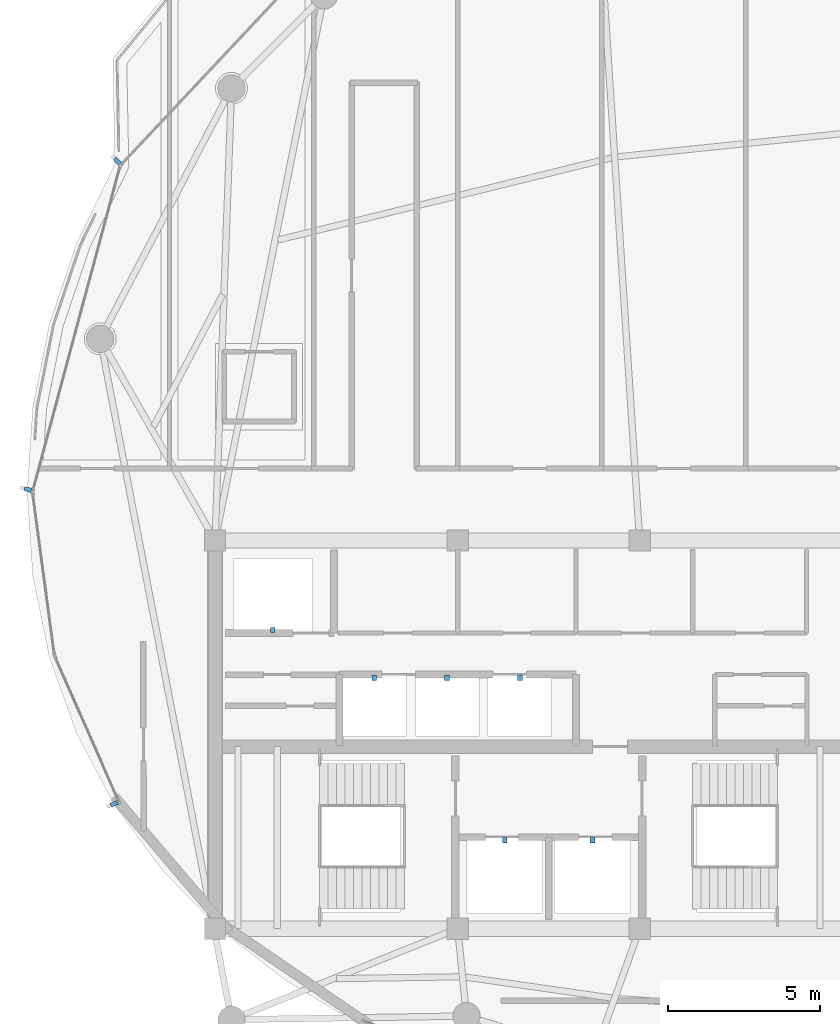
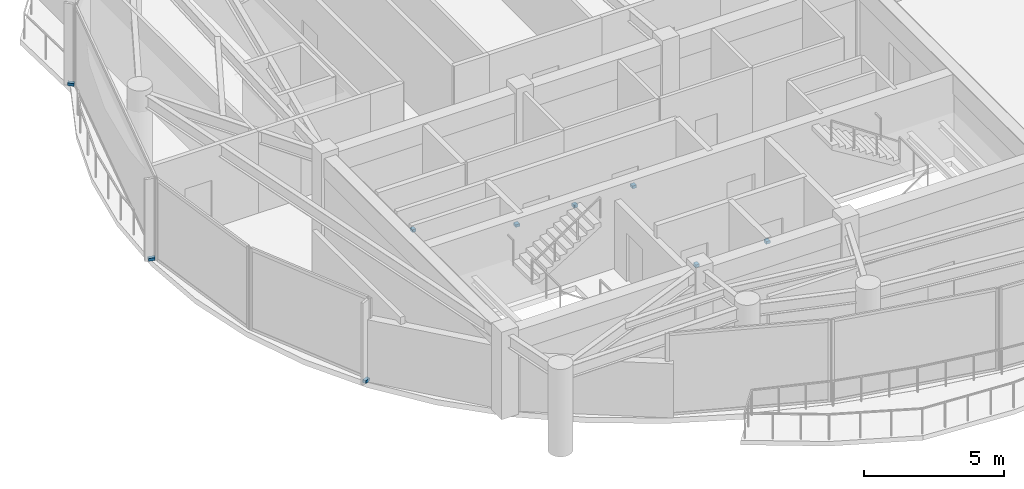
# One storey, part 21 of 23: 9 discrete accessories.
"""IFC4 building model written with IfcOpenShell, lengths in metres."""

from ifc_helpers import new_model, si_unit, direction, frame, origin, origin_2d, place, context, subcontext, project, spatial, rectangle, extrude, material, type_object, element, save


model = new_model("IFC4")

# Units and contexts
model_context = context("Model", 3, precision=1e-05, world=origin(), true_north=direction((0.0, 1.0)))
body_context = subcontext(model_context, "Body", "Model", "MODEL_VIEW")
ifc_project = project(units=[si_unit("LENGTHUNIT", "METRE"), si_unit("AREAUNIT", "SQUARE_METRE"), si_unit("VOLUMEUNIT", "CUBIC_METRE"), si_unit("PLANEANGLEUNIT", "RADIAN"), si_unit("MASSUNIT", "GRAM", prefix="KILO")], contexts=[model_context])

# Site, building, storey
site_placement = place(None, origin())
site = spatial("IfcSite", under=ifc_project, at=site_placement, CompositionType="ELEMENT")
building_placement = place(site_placement, origin())
building = spatial("IfcBuilding", under=site, at=building_placement, Name="Kazevale Care Tower and Concert Hall", CompositionType="ELEMENT")
storey_placement = place(building_placement, frame((0.0, 0.0, 266.199951171875)))
storey = spatial("IfcBuildingStorey", under=building, at=storey_placement, Name="L70", CompositionType="ELEMENT", Elevation=266.199951171875)

# Discrete accessories
ifc_material = material(Name="Stainless Steel 316", Category="steel")
discrete_accessory_type_1 = type_object("IfcDiscreteAccessoryType", Name="Facade Fin Stainless Anchor Bracket BRK-1", PredefinedType="BRACKET", material=ifc_material)
for number, where, z_axis, x_axis, name in (
    (1, (18.67333984375, 27.718994140625, 0.0), (0.0, 0.0, 1.0), (-0.91495966785, -0.403545296352, 0.0), "cw:L70:f07:brk"),
    (2, (15.826171875, 38.082763671875, 0.0), (0.0, 0.0, 1.0), (-0.965744901133, 0.259493325415, 0.0), "cw:L70:f09:brk"),
    (3, (18.776611328125, 48.909423828125, 0.0), (0.0, 0.0, 1.0), (-0.728968627421, 0.684547105929, 0.0), "cw:L70:f10:brk"),
):
    element("IfcDiscreteAccessory", number, at=place(storey_placement, frame(where, z_axis=z_axis, x_axis=x_axis)), inside=storey, type_object=discrete_accessory_type_1, Name=name, PredefinedType="BRACKET", context=body_context, shape_type="SweptSolid", body=[
        extrude(rectangle(XDim=0.239990234375, YDim=0.139892578125, at=origin_2d()), origin(), (0.0, 0.0, 1.0), 0.1201171875),
    ])
discrete_accessory_type_2 = type_object("IfcDiscreteAccessoryType", Name="Hoistway Guide-Rail Wall Bracket HBRK-1", PredefinedType="BRACKET", material=ifc_material)
for number, where, z_axis, x_axis, name in (
    (4, (31.550048828125, 26.52001953125, 1.239990234375), (0.0, 0.0, 1.0), (1.0, 0.0, 0.0), "hbrk:FFL-1:L70"),
    (5, (34.449951171875, 26.52001953125, 1.239990234375), (0.0, 0.0, 1.0), (1.0, 0.0, 0.0), "hbrk:FFL-2:L70"),
    (6, (23.89990234375, 33.449951171875, 1.239990234375), (0.0, 0.0, 1.0), (1.0, 0.0, 0.0), "hbrk:SVL-1:L70"),
    (7, (27.25, 31.8798828125, 1.239990234375), (0.0, 0.0, 1.0), (1.0, 0.0, 0.0), "hbrk:PH-1:L70"),
    (8, (29.64990234375, 31.8798828125, 1.239990234375), (0.0, 0.0, 1.0), (1.0, 0.0, 0.0), "hbrk:PH-2:L70"),
    (9, (32.050048828125, 31.8798828125, 1.239990234375), (0.0, 0.0, 1.0), (1.0, 0.0, 0.0), "hbrk:PH-3:L70"),
):
    element("IfcDiscreteAccessory", number, at=place(storey_placement, frame(where, z_axis=z_axis, x_axis=x_axis)), inside=storey, type_object=discrete_accessory_type_2, Name=name, PredefinedType="BRACKET", context=body_context, shape_type="SweptSolid", body=[
        extrude(rectangle(XDim=0.159912109375, YDim=0.179931640625, at=origin_2d()), origin(), (0.0, 0.0, 1.0), 0.1201171875),
    ])

save(model, "model.ifc")
